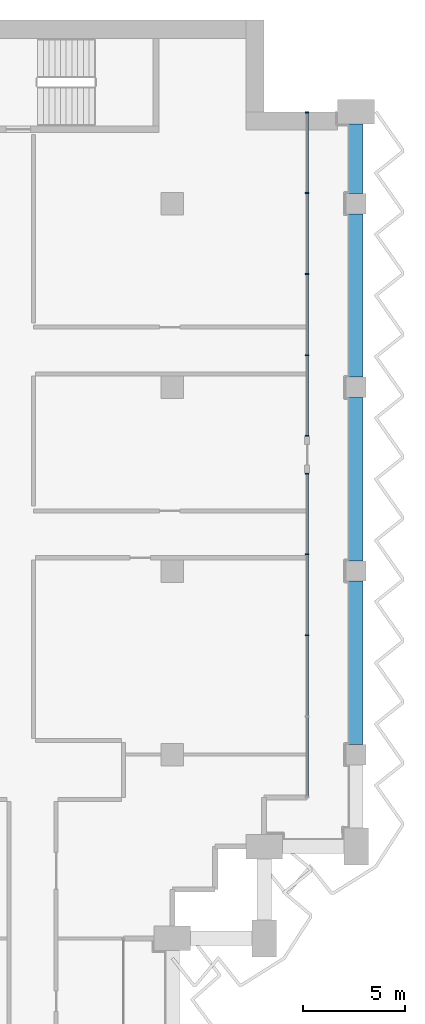
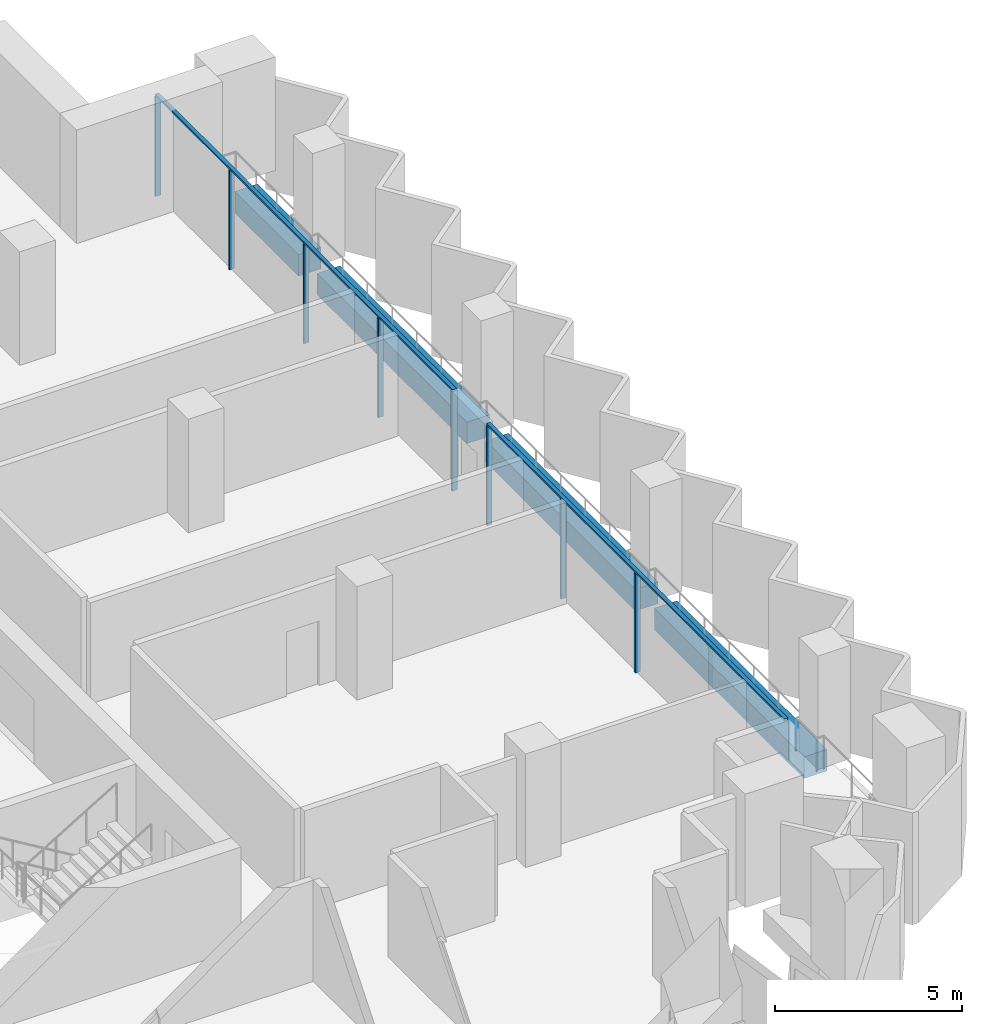
# One storey, part 5 of 17: 10 members, 4 beams, 2 elements without a shape of their own.
"""IFC4 building model written with IfcOpenShell, lengths in metres."""

from ifc_helpers import new_model, si_unit, direction, frame, origin, origin_2d, place, context, subcontext, project, spatial, rectangle, extrude, material, material_profile, profile_set, type_object, element, aggregate, save


model = new_model("IFC4")

# Units and contexts
model_context = context("Model", 3, precision=1e-05, world=origin(), true_north=direction((0.0, 1.0)))
body_context = subcontext(model_context, "Body", "Model", "MODEL_VIEW")
ifc_project = project(units=[si_unit("LENGTHUNIT", "METRE"), si_unit("AREAUNIT", "SQUARE_METRE"), si_unit("VOLUMEUNIT", "CUBIC_METRE"), si_unit("PLANEANGLEUNIT", "RADIAN"), si_unit("MASSUNIT", "GRAM", prefix="KILO")], contexts=[model_context])

# Site, building, storey
site_placement = place(None, origin())
site = spatial("IfcSite", under=ifc_project, at=site_placement, CompositionType="ELEMENT")
building_placement = place(site_placement, origin())
building = spatial("IfcBuilding", under=site, at=building_placement, Name="Hunhe Ridgeline Campus", CompositionType="ELEMENT")
storey_placement = place(building_placement, frame((0.0, 0.0, 197.60009765625)))
storey = spatial("IfcBuildingStorey", under=building, at=storey_placement, Name="L50", CompositionType="ELEMENT", Elevation=197.60009765625)

# Curtain wall, members
ifc_material_1 = material(Name="Aluminium 6063", Category="aluminium")
curtain_wall_type = type_object("IfcCurtainWallType", Name="Curtain wall CW-1", PredefinedType="NOTDEFINED", material=ifc_material_1)
curtain_wall_1_placement = place(storey_placement, origin())
curtain_wall_1 = element("IfcCurtainWall", 1, at=curtain_wall_1_placement, inside=storey, type_object=curtain_wall_type, Name="Curtain wall 12", PredefinedType="NOTDEFINED")
ifc_material_profile_1 = material_profile(ifc_material_1, rectangle(XDim=0.159912109375, YDim=0.06005859375, at=origin_2d()))
ifc_profile_set_1 = profile_set([ifc_material_profile_1], Name="Aluminium 6063")
member_type_1 = type_object("IfcMemberType", Name="CW-1 aluminium mullion", PredefinedType="MULLION", material=ifc_profile_set_1)
member_1_placement = place(storey_placement, frame((51.59912109375, 68.850830078125, 0.0), z_axis=(0.0, 0.0, 1.0), x_axis=(-1.0, 0.0, 0.0)))
member_1 = element("IfcMember", 2, at=member_1_placement, type_object=member_type_1, Name="CW-1 mullion 3", PredefinedType="MULLION", context=body_context, shape_type="SweptSolid", body=[
    extrude(rectangle(XDim=0.159912109375, YDim=0.06005859375, at=origin_2d()), origin(), (0.0, 0.0, 1.0), 3.239990234375),
])
member_2_placement = place(storey_placement, frame((51.59912109375, 72.82568359375, 0.0), z_axis=(0.0, 0.0, 1.0), x_axis=(-1.0, 0.0, 0.0)))
member_2 = element("IfcMember", 3, at=member_2_placement, type_object=member_type_1, Name="CW-1 mullion 4", PredefinedType="MULLION", context=body_context, shape_type="SweptSolid", body=[
    extrude(rectangle(XDim=0.159912109375, YDim=0.06005859375, at=origin_2d()), origin(), (0.0, 0.0, 1.0), 3.239990234375),
])
member_3_placement = place(storey_placement, frame((51.59912109375, 76.7705078125, 0.0), z_axis=(0.0, 0.0, 1.0), x_axis=(-1.0, 0.0, 0.0)))
member_3 = element("IfcMember", 4, at=member_3_placement, type_object=member_type_1, Name="CW-1 mullion 5", PredefinedType="MULLION", context=body_context, shape_type="SweptSolid", body=[
    extrude(rectangle(XDim=0.159912109375, YDim=0.06005859375, at=origin_2d()), origin(), (0.0, 0.0, 1.0), 3.239990234375),
])

curtain_wall_2_placement = place(storey_placement, origin())
curtain_wall_2 = element("IfcCurtainWall", 5, at=curtain_wall_2_placement, inside=storey, type_object=curtain_wall_type, Name="Curtain wall 13", PredefinedType="NOTDEFINED")
member_4_placement = place(storey_placement, frame((51.59912109375, 78.630615234375, 0.0), z_axis=(0.0, 0.0, 1.0), x_axis=(-1.0, 0.0, 0.0)))
member_4 = element("IfcMember", 6, at=member_4_placement, type_object=member_type_1, Name="CW-1 mullion 1", PredefinedType="MULLION", context=body_context, shape_type="SweptSolid", body=[
    extrude(rectangle(XDim=0.159912109375, YDim=0.06005859375, at=origin_2d()), origin(), (0.0, 0.0, 1.0), 3.239990234375),
])
member_5_placement = place(storey_placement, frame((51.59912109375, 82.575439453125, 0.0), z_axis=(0.0, 0.0, 1.0), x_axis=(-1.0, 0.0, 0.0)))
member_5 = element("IfcMember", 7, at=member_5_placement, type_object=member_type_1, Name="CW-1 mullion 2", PredefinedType="MULLION", context=body_context, shape_type="SweptSolid", body=[
    extrude(rectangle(XDim=0.159912109375, YDim=0.06005859375, at=origin_2d()), origin(), (0.0, 0.0, 1.0), 3.239990234375),
])
member_6_placement = place(storey_placement, frame((51.59912109375, 86.55029296875, 0.0), z_axis=(0.0, 0.0, 1.0), x_axis=(-1.0, 0.0, 0.0)))
member_6 = element("IfcMember", 8, at=member_6_placement, type_object=member_type_1, Name="CW-1 mullion 3", PredefinedType="MULLION", context=body_context, shape_type="SweptSolid", body=[
    extrude(rectangle(XDim=0.159912109375, YDim=0.06005859375, at=origin_2d()), origin(), (0.0, 0.0, 1.0), 3.239990234375),
])
member_7_placement = place(storey_placement, frame((51.59912109375, 90.525146484375, 0.0), z_axis=(0.0, 0.0, 1.0), x_axis=(-1.0, 0.0, 0.0)))
member_7 = element("IfcMember", 9, at=member_7_placement, type_object=member_type_1, Name="CW-1 mullion 4", PredefinedType="MULLION", context=body_context, shape_type="SweptSolid", body=[
    extrude(rectangle(XDim=0.159912109375, YDim=0.06005859375, at=origin_2d()), origin(), (0.0, 0.0, 1.0), 3.239990234375),
])
member_8_placement = place(storey_placement, frame((51.59912109375, 94.469970703125, 0.0), z_axis=(0.0, 0.0, 1.0), x_axis=(-1.0, 0.0, 0.0)))
member_8 = element("IfcMember", 10, at=member_8_placement, type_object=member_type_1, Name="CW-1 mullion 5", PredefinedType="MULLION", context=body_context, shape_type="SweptSolid", body=[
    extrude(rectangle(XDim=0.159912109375, YDim=0.06005859375, at=origin_2d()), origin(), (0.0, 0.0, 1.0), 3.239990234375),
])

# Member
ifc_material_profile_2 = material_profile(ifc_material_1, rectangle(XDim=0.1201171875, YDim=0.06005859375, at=origin_2d()))
ifc_profile_set_2 = profile_set([ifc_material_profile_2], Name="Aluminium 6063")
member_type_2 = type_object("IfcMemberType", Name="CW-1 aluminium transom", PredefinedType="USERDEFINED", material=ifc_profile_set_2)
member_9_placement = place(storey_placement, frame((51.59912109375, 60.90087890625, 3.27001953125), z_axis=(0.0, 1.0, 0.0), x_axis=(-1.0, 0.0, 0.0)))
member_9 = element("IfcMember", 11, at=member_9_placement, type_object=member_type_2, Name="CW-1 transom 1", ObjectType="TRANSOM", PredefinedType="USERDEFINED", context=body_context, shape_type="SweptSolid", body=[
    extrude(rectangle(XDim=0.1201171875, YDim=0.06005859375, at=origin_2d()), origin(), (0.0, 0.0, 1.0), 15.899658203125),
])

aggregate(curtain_wall_1, [member_9, member_1, member_2, member_3])

member_10_placement = place(storey_placement, frame((51.59912109375, 78.6005859375, 3.27001953125), z_axis=(0.0, 1.0, 0.0), x_axis=(-1.0, 0.0, 0.0)))
member_10 = element("IfcMember", 12, at=member_10_placement, type_object=member_type_2, Name="CW-1 transom 1", ObjectType="TRANSOM", PredefinedType="USERDEFINED", context=body_context, shape_type="SweptSolid", body=[
    extrude(rectangle(XDim=0.1201171875, YDim=0.06005859375, at=origin_2d()), origin(), (0.0, 0.0, 1.0), 15.8994140625),
])

aggregate(curtain_wall_2, [member_10, member_4, member_5, member_6, member_7, member_8])

# Beams
ifc_material_2 = material(Name="Concrete C50", Category="concrete")
ifc_material_profile_3 = material_profile(ifc_material_2, rectangle(XDim=0.699951171875, YDim=0.699951171875, at=origin_2d()))
ifc_profile_set_3 = profile_set([ifc_material_profile_3], Name="Concrete C50")
beam_type = type_object("IfcBeamType", Name="RC spandrel beam 700x700 Concrete C50", PredefinedType="SPANDREL", material=ifc_profile_set_3)
for number, where, z_axis, x_axis, name in (
    (13, (54.0, 63.5, -0.60009765625), (0.0, 1.0, 0.0), (-1.0, 0.0, 0.0), "Spandrel beam B3-15 L50"),
    (14, (54.0, 72.5, -0.60009765625), (0.0, 1.0, 0.0), (-1.0, 0.0, 0.0), "Spandrel beam B3-16 L50"),
    (15, (54.0, 81.5, -0.60009765625), (0.0, 1.0, 0.0), (-1.0, 0.0, 0.0), "Spandrel beam B3-17 L50"),
):
    element("IfcBeam", number, at=place(storey_placement, frame(where, z_axis=z_axis, x_axis=x_axis)), inside=storey, type_object=beam_type, Name=name, PredefinedType="SPANDREL", context=body_context, shape_type="SweptSolid", body=[
        extrude(rectangle(XDim=0.699951171875, YDim=0.699951171875, at=origin_2d()), origin(), (0.0, 0.0, 1.0), 8.0),
    ])
beam_placement = place(storey_placement, frame((54.0, 90.5, -0.60009765625), z_axis=(0.0, 1.0, 0.0), x_axis=(-1.0, 0.0, 0.0)))
element("IfcBeam", 16, at=beam_placement, inside=storey, type_object=beam_type, Name="Spandrel beam B3-18 L50", PredefinedType="SPANDREL", context=body_context, shape_type="SweptSolid", body=[
    extrude(rectangle(XDim=0.699951171875, YDim=0.699951171875, at=origin_2d()), origin(), (0.0, 0.0, 1.0), 3.39990234375),
])

save(model, "model.ifc")
